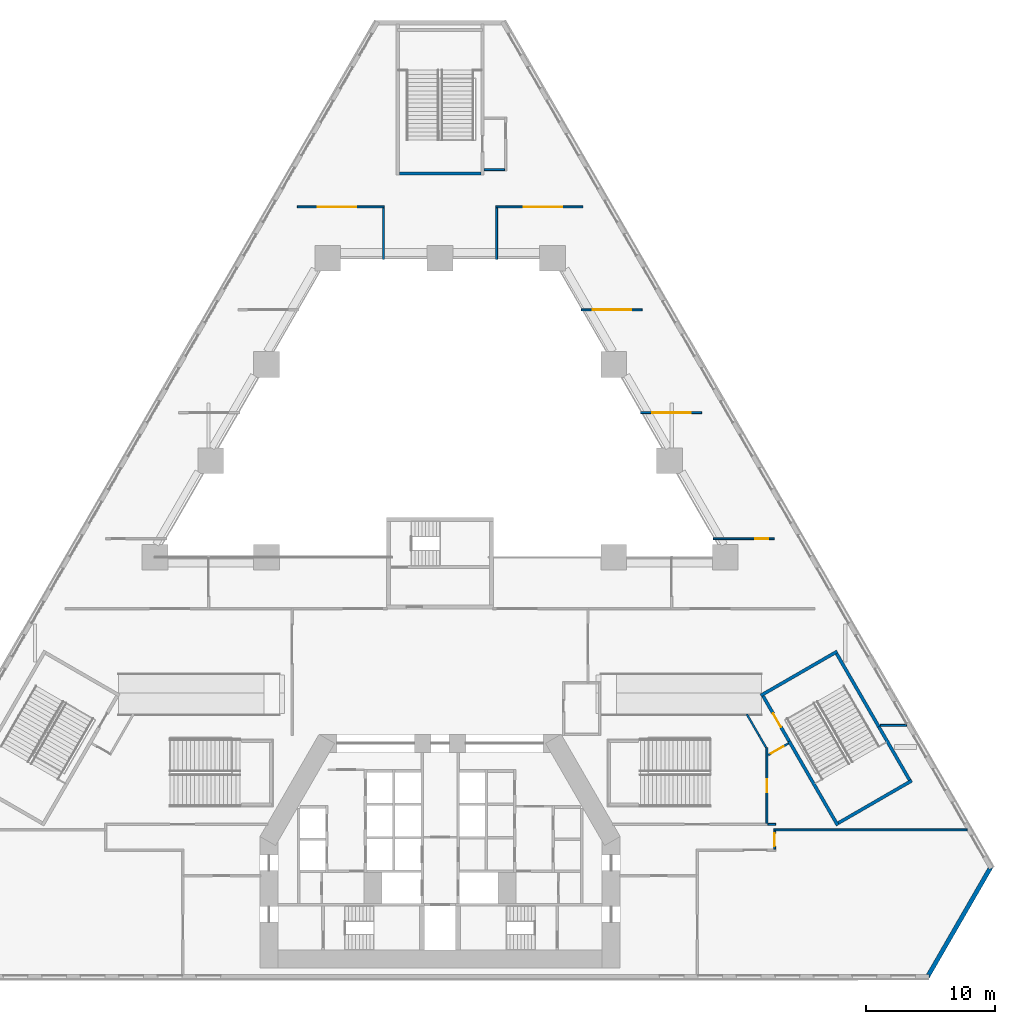
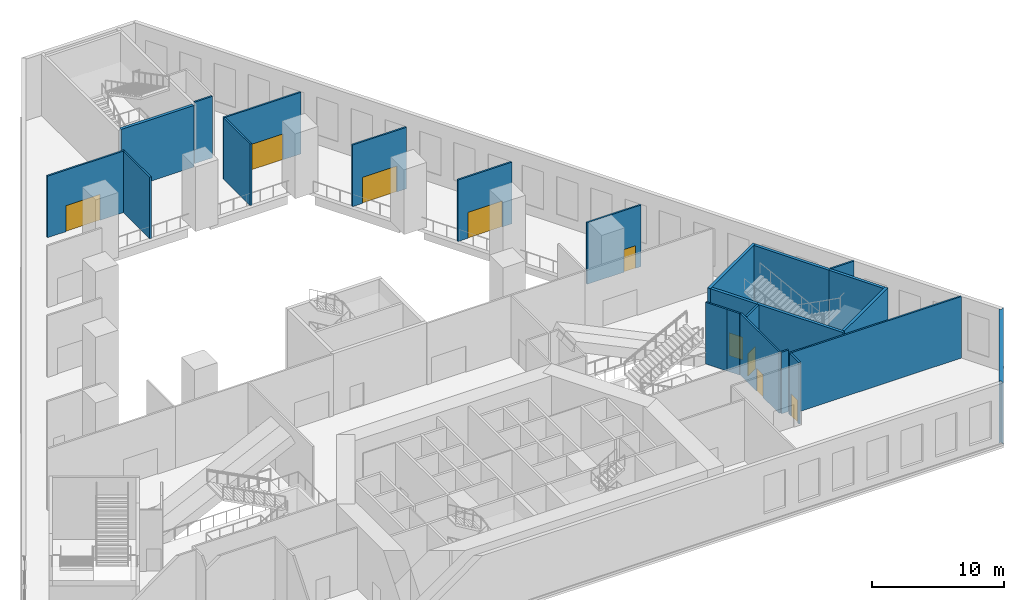
# One storey, part 7 of 16: 24 walls, 9 doors, 9 openings.
"""IFC4 building model written with IfcOpenShell, lengths in metres."""

from ifc_helpers import new_model, si_unit, direction, frame, frame_2d, origin, place, context, subcontext, project, spatial, polyline, rectangle, outline, extrude, material, layer, layer_set, type_object, element, fill, save


model = new_model("IFC4")

# Units and contexts
model_context = context("Model", 3, precision=1e-05, world=origin(), true_north=direction((0.0, 1.0)))
body_context = subcontext(model_context, "Body", "Model", "MODEL_VIEW")
ifc_project = project(units=[si_unit("LENGTHUNIT", "METRE"), si_unit("AREAUNIT", "SQUARE_METRE"), si_unit("VOLUMEUNIT", "CUBIC_METRE"), si_unit("PLANEANGLEUNIT", "RADIAN"), si_unit("MASSUNIT", "GRAM", prefix="KILO")], contexts=[model_context])

# Site, building, storey
site_placement = place(None, origin())
site = spatial("IfcSite", under=ifc_project, at=site_placement, CompositionType="ELEMENT")
building_placement = place(site_placement, origin())
building = spatial("IfcBuilding", under=site, at=building_placement, Name="Fogline Exchange Tower", CompositionType="ELEMENT")
storey_placement = place(building_placement, frame((0.0, 0.0, 14.0)))
storey = spatial("IfcBuildingStorey", under=building, at=storey_placement, Name="L02", CompositionType="ELEMENT", Elevation=14.0)

# Wall
ifc_material_1 = material(Name="Brick masonry", Category="masonry")
ifc_layer_1 = layer(ifc_material_1, 0.340087890625)
ifc_layer_set_1 = layer_set([ifc_layer_1], Name="FW1")
wall_type_1 = type_object("IfcWallType", Name="FW1", PredefinedType="SOLIDWALL", material=ifc_layer_set_1)
wall_1_placement = place(storey_placement, origin())
element("IfcWall", 1, at=wall_1_placement, inside=storey, type_object=wall_type_1, Name="Brick wall L02 SE-c", PredefinedType="SOLIDWALL", context=body_context, shape_type="SweptSolid", body=[
    extrude(outline(polyline([(37.99951171875, -0.0009765625), (37.99951171875, 0.33935546875), (37.802734375, 0.33935546875), (42.607421875, 8.661376953125), (42.705810546875, 8.490966796875), (43.000732421875, 8.661376953125), (43.0009765625, 8.660888671875), (38.0, -0.001220703125), (37.99951171875, -0.0009765625)])), origin(), (0.0, 0.0, 1.0), 5.699951171875),
])

# Wall, opening, door
ifc_material_2 = material(Name="Plasterboard on steel stud", Category="steel")
ifc_layer_2 = layer(ifc_material_2, 0.14990234375)
ifc_layer_set_2 = layer_set([ifc_layer_2], Name="PP1")
wall_type_2 = type_object("IfcWallType", Name="PP1", PredefinedType="PARTITIONING", material=ifc_layer_set_2)
wall_2_placement = place(storey_placement, frame((26.0, 10.074951171875, 0.0), z_axis=(0.0, 0.0, 1.0), x_axis=(0.0, 1.0, 0.0)))
wall_2 = element("IfcWall", 2, at=wall_2_placement, inside=storey, type_object=wall_type_2, Name="PP1 partition", PredefinedType="PARTITIONING", context=body_context, shape_type="SweptSolid", body=[
    extrude(rectangle(XDim=1.420166015625, YDim=0.14990234375, at=frame_2d((0.7099609375, 0.0))), origin(), (0.0, 0.0, 1.0), 5.699951171875),
])
opening_1_placement = place(wall_2_placement, frame((0.22509765625, 0.0, 0.0)))
opening_1 = element("IfcOpeningElement", 3, at=opening_1_placement, cuts=wall_2, Name="Opening P02-D017", PredefinedType="OPENING", context=body_context, shape_type="SweptSolid", body=[
    extrude(rectangle(XDim=1.0, YDim=2.10009765625, at=frame_2d((0.5, 1.050048828125))), frame((0.0, 0.0849609375, 0.0), z_axis=(0.0, -1.0, 0.0), x_axis=(1.0, 0.0, 0.0)), (0.0, 0.0, 1.0), 0.169921875),
])
ifc_material_3 = material(Name="Timber", Category="wood")
door_type_1 = type_object("IfcDoorType", Name="PD1", OperationType="SINGLE_SWING_LEFT", PredefinedType="DOOR", material=ifc_material_3)
door_1_placement = place(opening_1_placement, frame((1.0, 0.0, 0.0), z_axis=(0.0, 0.0, 1.0), x_axis=(-1.0, 0.0, 0.0)))
door_1 = element("IfcDoor", 4, at=door_1_placement, inside=storey, type_object=door_type_1, Name="P02-D017", OperationType="SINGLE_SWING_LEFT", OverallHeight=2.10009765625, OverallWidth=1.0, PredefinedType="DOOR", context=body_context, shape_type="SweptSolid", body=[
    extrude(rectangle(XDim=1.0, YDim=2.10009765625, at=frame_2d((0.5, 1.050048828125))), frame((0.0, 0.02490234375, 0.0), z_axis=(0.0, -1.0, 0.0), x_axis=(1.0, 0.0, 0.0)), (0.0, 0.0, 1.0), 0.050048828125),
])
fill(opening_1, door_1)

# Walls
wall_3_placement = place(storey_placement, frame((25.925048828125, 11.570068359375, 0.0), z_axis=(0.0, 0.0, 1.0), x_axis=(1.0, 0.0, 0.0)))
element("IfcWall", 5, at=wall_3_placement, inside=storey, type_object=wall_type_2, Name="PP1 partition", PredefinedType="PARTITIONING", context=body_context, shape_type="SweptSolid", body=[
    extrude(rectangle(XDim=15.042724609375, YDim=0.14990234375, at=frame_2d((7.521484375, 0.0))), origin(), (0.0, 0.0, 1.0), 5.699951171875),
])
wall_4_placement = place(storey_placement, frame((25.47509765625, 12.0, 0.0), z_axis=(0.0, 0.0, 1.0), x_axis=(1.0, 0.0, 0.0)))
element("IfcWall", 6, at=wall_4_placement, inside=storey, type_object=wall_type_2, Name="PP1 partition", PredefinedType="PARTITIONING", context=body_context, shape_type="SweptSolid", body=[
    extrude(rectangle(XDim=0.599853515625, YDim=0.14990234375, at=frame_2d((0.2998046875, 0.0))), origin(), (0.0, 0.0, 1.0), 5.699951171875),
])

# Wall, opening, door
wall_5_placement = place(storey_placement, frame((25.39990234375, 17.964599609375, 0.0), z_axis=(0.0, 0.0, 1.0), x_axis=(0.0, -1.0, 0.0)))
wall_5 = element("IfcWall", 7, at=wall_5_placement, inside=storey, type_object=wall_type_2, Name="PP1 partition", PredefinedType="PARTITIONING", context=body_context, shape_type="SweptSolid", body=[
    extrude(rectangle(XDim=5.8896484375, YDim=0.14990234375, at=frame_2d((2.94482421875, 0.0))), origin(), (0.0, 0.0, 1.0), 5.699951171875),
])
opening_2_placement = place(wall_5_placement, frame((2.464599609375, 0.0, 0.0)))
opening_2 = element("IfcOpeningElement", 8, at=opening_2_placement, cuts=wall_5, Name="Opening P02-D016", PredefinedType="OPENING", context=body_context, shape_type="SweptSolid", body=[
    extrude(rectangle(XDim=1.0, YDim=2.10009765625, at=frame_2d((0.5, 1.050048828125))), frame((0.0, 0.0849609375, 0.0), z_axis=(0.0, -1.0, 0.0), x_axis=(1.0, 0.0, 0.0)), (0.0, 0.0, 1.0), 0.169921875),
])
door_2_placement = place(opening_2_placement, origin())
door_2 = element("IfcDoor", 9, at=door_2_placement, inside=storey, type_object=door_type_1, Name="P02-D016", OperationType="SINGLE_SWING_RIGHT", OverallHeight=2.10009765625, OverallWidth=1.0, PredefinedType="DOOR", context=body_context, shape_type="SweptSolid", body=[
    extrude(rectangle(XDim=1.0, YDim=2.10009765625, at=frame_2d((0.5, 1.050048828125))), frame((0.0, 0.02490234375, 0.0), z_axis=(0.0, -1.0, 0.0), x_axis=(1.0, 0.0, 0.0)), (0.0, 0.0, 1.0), 0.050048828125),
])
fill(opening_2, door_2)

# Wall
wall_6_placement = place(storey_placement, frame((25.3369140625, 17.974609375, 0.0), z_axis=(0.0, 0.0, 1.0), x_axis=(-0.50011622646, 0.865958290007, 0.0)))
element("IfcWall", 10, at=wall_6_placement, inside=storey, type_object=wall_type_2, Name="PP1 partition", PredefinedType="PARTITIONING", context=body_context, shape_type="SweptSolid", body=[
    extrude(rectangle(XDim=1.109130859375, YDim=0.14990234375, at=frame_2d((0.5546875, 0.0))), origin(), (0.0, 0.0, 1.0), 5.699951171875),
])

# Wall, opening, door
wall_7_placement = place(storey_placement, frame((27.086669921875, 18.29443359375, 0.0), z_axis=(0.0, 0.0, 1.0), x_axis=(-0.866100518934, -0.499869874169, 0.0)))
wall_7 = element("IfcWall", 11, at=wall_7_placement, inside=storey, type_object=wall_type_2, Name="PP1 partition", PredefinedType="PARTITIONING", context=body_context, shape_type="SweptSolid", body=[
    extrude(rectangle(XDim=1.81591796875, YDim=0.14990234375, at=frame_2d((0.907958984375, 0.0))), origin(), (0.0, 0.0, 1.0), 5.699951171875),
])
opening_3_placement = place(wall_7_placement, frame((0.461181640625, 0.0, 0.0)))
opening_3 = element("IfcOpeningElement", 12, at=opening_3_placement, cuts=wall_7, Name="Opening P02-D005", PredefinedType="OPENING", context=body_context, shape_type="SweptSolid", body=[
    extrude(rectangle(XDim=1.10009765625, YDim=2.10009765625, at=frame_2d((0.550048828125, 1.050048828125))), frame((0.0, 0.0849609375, 0.0), z_axis=(0.0, -1.0, 0.0), x_axis=(1.0, 0.0, 0.0)), (0.0, 0.0, 1.0), 0.169921875),
])
ifc_material_4 = material(Name="Steel Q235B", Category="steel")
door_type_2 = type_object("IfcDoorType", Name="PD5", OperationType="SINGLE_SWING_LEFT", PredefinedType="DOOR", material=ifc_material_4)
door_3_placement = place(opening_3_placement, origin())
door_3 = element("IfcDoor", 13, at=door_3_placement, inside=storey, type_object=door_type_2, Name="P02-D005", OperationType="SINGLE_SWING_RIGHT", OverallHeight=2.10009765625, OverallWidth=1.10009765625, PredefinedType="DOOR", context=body_context, shape_type="SweptSolid", body=[
    extrude(rectangle(XDim=1.10009765625, YDim=2.10009765625, at=frame_2d((0.550048828125, 1.050048828125))), frame((0.0, 0.02490234375, 0.0), z_axis=(0.0, -1.0, 0.0), x_axis=(1.0, 0.0, 0.0)), (0.0, 0.0, 1.0), 0.050048828125),
])
fill(opening_3, door_3)

# Walls
wall_8_placement = place(storey_placement, frame((24.7822265625, 18.93505859375, 0.0), z_axis=(0.0, 0.0, 1.0), x_axis=(-0.499962016178, 0.866047332643, 0.0)))
element("IfcWall", 14, at=wall_8_placement, inside=storey, type_object=wall_type_2, Name="PP1 partition", PredefinedType="PARTITIONING", context=body_context, shape_type="SweptSolid", body=[
    extrude(rectangle(XDim=1.882080078125, YDim=0.14990234375, at=frame_2d((0.94091796875, 0.0))), origin(), (0.0, 0.0, 1.0), 5.699951171875),
])
wall_9_placement = place(storey_placement, frame((34.2294921875, 19.699951171875, 0.0), z_axis=(0.0, 0.0, 1.0), x_axis=(1.0, 0.0, 0.0)))
element("IfcWall", 15, at=wall_9_placement, inside=storey, type_object=wall_type_2, Name="PP1 partition", PredefinedType="PARTITIONING", context=body_context, shape_type="SweptSolid", body=[
    extrude(rectangle(XDim=2.04443359375, YDim=0.14990234375, at=frame_2d((1.022216796875, 0.0))), origin(), (0.0, 0.0, 1.0), 5.699951171875),
])

# Wall, opening, door
wall_10_placement = place(storey_placement, frame((21.25146484375, 34.199951171875, 0.0), z_axis=(0.0, 0.0, 1.0), x_axis=(1.0, 0.0, 0.0)))
wall_10 = element("IfcWall", 16, at=wall_10_placement, inside=storey, type_object=wall_type_2, Name="PP1 partition", PredefinedType="PARTITIONING", context=body_context, shape_type="SweptSolid", body=[
    extrude(rectangle(XDim=4.734130859375, YDim=0.14990234375, at=frame_2d((2.3671875, 0.0))), origin(), (0.0, 0.0, 1.0), 5.699951171875),
])
opening_4_placement = place(wall_10_placement, frame((3.24853515625, 0.0, 0.0)))
opening_4 = element("IfcOpeningElement", 17, at=opening_4_placement, cuts=wall_10, Name="Opening P02-D033", PredefinedType="OPENING", context=body_context, shape_type="SweptSolid", body=[
    extrude(rectangle(XDim=1.0, YDim=2.10009765625, at=frame_2d((0.5, 1.050048828125))), frame((0.0, 0.0849609375, 0.0), z_axis=(0.0, -1.0, 0.0), x_axis=(1.0, 0.0, 0.0)), (0.0, 0.0, 1.0), 0.169921875),
])
door_4_placement = place(opening_4_placement, origin())
door_4 = element("IfcDoor", 18, at=door_4_placement, inside=storey, type_object=door_type_1, Name="P02-D033", OperationType="SINGLE_SWING_RIGHT", OverallHeight=2.10009765625, OverallWidth=1.0, PredefinedType="DOOR", context=body_context, shape_type="SweptSolid", body=[
    extrude(rectangle(XDim=1.0, YDim=2.10009765625, at=frame_2d((0.5, 1.050048828125))), frame((0.0, 0.02490234375, 0.0), z_axis=(0.0, -1.0, 0.0), x_axis=(1.0, 0.0, 0.0)), (0.0, 0.0, 1.0), 0.050048828125),
])
fill(opening_4, door_4)

wall_11_placement = place(storey_placement, frame((15.593505859375, 44.0, 0.0), z_axis=(0.0, 0.0, 1.0), x_axis=(1.0, 0.0, 0.0)))
wall_11 = element("IfcWall", 19, at=wall_11_placement, inside=storey, type_object=wall_type_2, Name="PP1 partition", PredefinedType="PARTITIONING", context=body_context, shape_type="SweptSolid", body=[
    extrude(rectangle(XDim=4.73388671875, YDim=0.14990234375, at=frame_2d((2.366943359375, 0.0))), origin(), (0.0, 0.0, 1.0), 5.699951171875),
])
opening_5_placement = place(wall_11_placement, frame((0.884521484375, 0.0, 0.0)))
opening_5 = element("IfcOpeningElement", 20, at=opening_5_placement, cuts=wall_11, Name="Opening P02-D023", PredefinedType="OPENING", context=body_context, shape_type="SweptSolid", body=[
    extrude(rectangle(XDim=3.0, YDim=2.39990234375, at=frame_2d((1.5, 1.199951171875))), frame((0.0, 0.0849609375, 0.0), z_axis=(0.0, -1.0, 0.0), x_axis=(1.0, 0.0, 0.0)), (0.0, 0.0, 1.0), 0.169921875),
])
door_type_3 = type_object("IfcDoorType", Name="PD13", OperationType="DOUBLE_DOOR_SINGLE_SWING", PredefinedType="DOOR", material=ifc_material_4)
door_5_placement = place(opening_5_placement, origin())
door_5 = element("IfcDoor", 21, at=door_5_placement, inside=storey, type_object=door_type_3, Name="P02-D023", OperationType="DOUBLE_DOOR_SINGLE_SWING", OverallHeight=2.39990234375, OverallWidth=3.0, PredefinedType="DOOR", context=body_context, shape_type="SweptSolid", body=[
    extrude(rectangle(XDim=3.0, YDim=2.39990234375, at=frame_2d((1.5, 1.199951171875))), frame((0.0, 0.02490234375, 0.0), z_axis=(0.0, -1.0, 0.0), x_axis=(1.0, 0.0, 0.0)), (0.0, 0.0, 1.0), 0.050048828125),
])
fill(opening_5, door_5)

wall_12_placement = place(storey_placement, frame((10.974609375, 52.0, 0.0), z_axis=(0.0, 0.0, 1.0), x_axis=(1.0, 0.0, 0.0)))
wall_12 = element("IfcWall", 22, at=wall_12_placement, inside=storey, type_object=wall_type_2, Name="PP1 partition", PredefinedType="PARTITIONING", context=body_context, shape_type="SweptSolid", body=[
    extrude(rectangle(XDim=4.734130859375, YDim=0.14990234375, at=frame_2d((2.3671875, 0.0))), origin(), (0.0, 0.0, 1.0), 5.699951171875),
])
opening_6_placement = place(wall_12_placement, frame((0.884521484375, 0.0, 0.0)))
opening_6 = element("IfcOpeningElement", 23, at=opening_6_placement, cuts=wall_12, Name="Opening P02-D025", PredefinedType="OPENING", context=body_context, shape_type="SweptSolid", body=[
    extrude(rectangle(XDim=3.0, YDim=2.39990234375, at=frame_2d((1.5, 1.199951171875))), frame((0.0, 0.0849609375, 0.0), z_axis=(0.0, -1.0, 0.0), x_axis=(1.0, 0.0, 0.0)), (0.0, 0.0, 1.0), 0.169921875),
])
door_6_placement = place(opening_6_placement, frame((3.0, 0.0, 0.0), z_axis=(0.0, 0.0, 1.0), x_axis=(-1.0, 0.0, 0.0)))
door_6 = element("IfcDoor", 24, at=door_6_placement, inside=storey, type_object=door_type_3, Name="P02-D025", OperationType="DOUBLE_DOOR_SINGLE_SWING", OverallHeight=2.39990234375, OverallWidth=3.0, PredefinedType="DOOR", context=body_context, shape_type="SweptSolid", body=[
    extrude(rectangle(XDim=3.0, YDim=2.39990234375, at=frame_2d((1.5, 1.199951171875))), frame((0.0, 0.02490234375, 0.0), z_axis=(0.0, -1.0, 0.0), x_axis=(1.0, 0.0, 0.0)), (0.0, 0.0, 1.0), 0.050048828125),
])
fill(opening_6, door_6)

# Walls
for number, where, z_axis, x_axis, name in (
    (25, (4.39990234375, 55.925048828125, 0.0), (0.0, 0.0, 1.0), (0.0, 1.0, 0.0), "PP1 partition"),
    (26, (-4.39990234375, 59.925048828125, 0.0), (0.0, 0.0, 1.0), (0.0, -1.0, 0.0), "PP1 partition"),
):
    element("IfcWall", number, at=place(storey_placement, frame(where, z_axis=z_axis, x_axis=x_axis)), inside=storey, type_object=wall_type_2, Name=name, PredefinedType="PARTITIONING", context=body_context, shape_type="SweptSolid", body=[
        extrude(rectangle(XDim=4.0, YDim=0.14990234375, at=frame_2d((2.0, 0.0))), origin(), (0.0, 0.0, 1.0), 5.699951171875),
    ])

# Wall, opening, door
wall_13_placement = place(storey_placement, frame((-11.10205078125, 60.0, 0.0), z_axis=(0.0, 0.0, 1.0), x_axis=(1.0, 0.0, 0.0)))
wall_13 = element("IfcWall", 27, at=wall_13_placement, inside=storey, type_object=wall_type_2, Name="PP1 partition", PredefinedType="PARTITIONING", context=body_context, shape_type="SweptSolid", body=[
    extrude(rectangle(XDim=6.777099609375, YDim=0.14990234375, at=frame_2d((3.388671875, 0.0))), origin(), (0.0, 0.0, 1.0), 5.699951171875),
])
opening_7_placement = place(wall_13_placement, frame((1.60205078125, 0.0, 0.0)))
opening_7 = element("IfcOpeningElement", 28, at=opening_7_placement, cuts=wall_13, Name="Opening P02-D020", PredefinedType="OPENING", context=body_context, shape_type="SweptSolid", body=[
    extrude(rectangle(XDim=3.0, YDim=2.39990234375, at=frame_2d((1.5, 1.199951171875))), frame((0.0, 0.0849609375, 0.0), z_axis=(0.0, -1.0, 0.0), x_axis=(1.0, 0.0, 0.0)), (0.0, 0.0, 1.0), 0.169921875),
])
door_7_placement = place(opening_7_placement, frame((3.0, 0.0, 0.0), z_axis=(0.0, 0.0, 1.0), x_axis=(-1.0, 0.0, 0.0)))
door_7 = element("IfcDoor", 29, at=door_7_placement, inside=storey, type_object=door_type_3, Name="P02-D020", OperationType="DOUBLE_DOOR_SINGLE_SWING", OverallHeight=2.39990234375, OverallWidth=3.0, PredefinedType="DOOR", context=body_context, shape_type="SweptSolid", body=[
    extrude(rectangle(XDim=3.0, YDim=2.39990234375, at=frame_2d((1.5, 1.199951171875))), frame((0.0, 0.02490234375, 0.0), z_axis=(0.0, -1.0, 0.0), x_axis=(1.0, 0.0, 0.0)), (0.0, 0.0, 1.0), 0.050048828125),
])
fill(opening_7, door_7)

wall_14_placement = place(storey_placement, frame((4.324951171875, 60.0, 0.0), z_axis=(0.0, 0.0, 1.0), x_axis=(1.0, 0.0, 0.0)))
wall_14 = element("IfcWall", 30, at=wall_14_placement, inside=storey, type_object=wall_type_2, Name="PP1 partition", PredefinedType="PARTITIONING", context=body_context, shape_type="SweptSolid", body=[
    extrude(rectangle(XDim=6.777099609375, YDim=0.14990234375, at=frame_2d((3.388671875, 0.0))), origin(), (0.0, 0.0, 1.0), 5.699951171875),
])
opening_8_placement = place(wall_14_placement, frame((2.175048828125, 0.0, 0.0)))
opening_8 = element("IfcOpeningElement", 31, at=opening_8_placement, cuts=wall_14, Name="Opening P02-D021", PredefinedType="OPENING", context=body_context, shape_type="SweptSolid", body=[
    extrude(rectangle(XDim=3.0, YDim=2.39990234375, at=frame_2d((1.5, 1.199951171875))), frame((0.0, 0.0849609375, 0.0), z_axis=(0.0, -1.0, 0.0), x_axis=(1.0, 0.0, 0.0)), (0.0, 0.0, 1.0), 0.169921875),
])
door_8_placement = place(opening_8_placement, frame((3.0, 0.0, 0.0), z_axis=(0.0, 0.0, 1.0), x_axis=(-1.0, 0.0, 0.0)))
door_8 = element("IfcDoor", 32, at=door_8_placement, inside=storey, type_object=door_type_3, Name="P02-D021", OperationType="DOUBLE_DOOR_SINGLE_SWING", OverallHeight=2.39990234375, OverallWidth=3.0, PredefinedType="DOOR", context=body_context, shape_type="SweptSolid", body=[
    extrude(rectangle(XDim=3.0, YDim=2.39990234375, at=frame_2d((1.5, 1.199951171875))), frame((0.0, 0.02490234375, 0.0), z_axis=(0.0, -1.0, 0.0), x_axis=(1.0, 0.0, 0.0)), (0.0, 0.0, 1.0), 0.050048828125),
])
fill(opening_8, door_8)

# Walls
wall_15_placement = place(storey_placement, frame((5.02490234375, 62.89990234375, 0.0), z_axis=(0.0, 0.0, 1.0), x_axis=(-1.0, 0.0, 0.0)))
element("IfcWall", 33, at=wall_15_placement, inside=storey, type_object=wall_type_2, Name="PP1 partition", PredefinedType="PARTITIONING", context=body_context, shape_type="SweptSolid", body=[
    extrude(rectangle(XDim=1.599853515625, YDim=0.14990234375, at=frame_2d((0.7998046875, 0.0))), origin(), (0.0, 0.0, 1.0), 5.699951171875),
])
ifc_material_5 = material(Name="Concrete C40", Category="concrete")
ifc_layer_3 = layer(ifc_material_5, 0.25)
ifc_layer_set_3 = layer_set([ifc_layer_3], Name="PP3")
wall_type_3 = type_object("IfcWallType", Name="PP3", PredefinedType="SOLIDWALL", material=ifc_layer_set_3)
wall_16_placement = place(storey_placement, frame((30.906982421875, 11.926513671875, 0.0), z_axis=(0.0, 0.0, 1.0), x_axis=(-0.499985572004, 0.866033733632, 0.0)))
element("IfcWall", 34, at=wall_16_placement, inside=storey, type_object=wall_type_3, Name="PP3 bearing wall", PredefinedType="SOLIDWALL", context=body_context, shape_type="SweptSolid", body=[
    extrude(rectangle(XDim=7.550048828125, YDim=0.25, at=frame_2d((3.77490234375, 0.0))), origin(), (0.0, 0.0, 1.0), 5.699951171875),
])
wall_17_placement = place(storey_placement, frame((36.66845703125, 15.397216796875, 0.0), z_axis=(0.0, 0.0, 1.0), x_axis=(-0.866040211805, -0.499974350878, 0.0)))
element("IfcWall", 35, at=wall_17_placement, inside=storey, type_object=wall_type_3, Name="PP3 bearing wall", PredefinedType="SOLIDWALL", context=body_context, shape_type="SweptSolid", body=[
    extrude(rectangle(XDim=6.599853515625, YDim=0.25, at=frame_2d((3.2998046875, 0.0))), origin(), (0.0, 0.0, 1.0), 5.699951171875),
])

# Wall, opening, door
wall_18_placement = place(storey_placement, frame((27.1318359375, 18.46533203125, 0.0), z_axis=(0.0, 0.0, 1.0), x_axis=(-0.499971214291, 0.866042022584, 0.0)))
wall_18 = element("IfcWall", 36, at=wall_18_placement, inside=storey, type_object=wall_type_3, Name="PP3 bearing wall", PredefinedType="SOLIDWALL", context=body_context, shape_type="SweptSolid", body=[
    extrude(rectangle(XDim=4.049560546875, YDim=0.25, at=frame_2d((2.02490234375, 0.0))), origin(), (0.0, 0.0, 1.0), 5.699951171875),
])
opening_9_placement = place(wall_18_placement, frame((1.274658203125, 0.0, 0.0)))
opening_9 = element("IfcOpeningElement", 37, at=opening_9_placement, cuts=wall_18, Name="Opening P02-D004", PredefinedType="OPENING", context=body_context, shape_type="SweptSolid", body=[
    extrude(rectangle(XDim=1.199951171875, YDim=2.10009765625, at=frame_2d((0.60009765625, 1.050048828125))), frame((0.0, 0.135009765625, 0.0), z_axis=(0.0, -1.0, 0.0), x_axis=(1.0, 0.0, 0.0)), (0.0, 0.0, 1.0), 0.27001953125),
])
door_type_4 = type_object("IfcDoorType", Name="PD7", OperationType="SINGLE_SWING_LEFT", PredefinedType="DOOR", material=ifc_material_4)
door_9_placement = place(opening_9_placement, origin())
door_9 = element("IfcDoor", 38, at=door_9_placement, inside=storey, type_object=door_type_4, Name="P02-D004", OperationType="SINGLE_SWING_LEFT", OverallHeight=2.10009765625, OverallWidth=1.199951171875, PredefinedType="DOOR", context=body_context, shape_type="SweptSolid", body=[
    extrude(rectangle(XDim=1.199951171875, YDim=2.10009765625, at=frame_2d((0.60009765625, 1.050048828125))), frame((0.0, 0.02490234375, 0.0), z_axis=(0.0, -1.0, 0.0), x_axis=(1.0, 0.0, 0.0)), (0.0, 0.0, 1.0), 0.050048828125),
])
fill(opening_9, door_9)

# Walls
wall_19_placement = place(storey_placement, frame((34.1025390625, 19.591552734375, 0.0), z_axis=(0.0, 0.0, 1.0), x_axis=(0.499981253467, -0.86603622683, 0.0)))
element("IfcWall", 39, at=wall_19_placement, inside=storey, type_object=wall_type_3, Name="PP3 bearing wall", PredefinedType="SOLIDWALL", context=body_context, shape_type="SweptSolid", body=[
    extrude(rectangle(XDim=4.790771484375, YDim=0.25, at=frame_2d((2.3955078125, 0.0))), origin(), (0.0, 0.0, 1.0), 5.699951171875),
])
wall_20_placement = place(storey_placement, frame((24.936279296875, 22.018310546875, 0.0), z_axis=(0.0, 0.0, 1.0), x_axis=(0.866050272892, 0.499956922968, 0.0)))
element("IfcWall", 40, at=wall_20_placement, inside=storey, type_object=wall_type_3, Name="PP3 bearing wall", PredefinedType="SOLIDWALL", context=body_context, shape_type="SweptSolid", body=[
    extrude(rectangle(XDim=6.85009765625, YDim=0.25, at=frame_2d((3.425048828125, 0.0))), origin(), (0.0, 0.0, 1.0), 5.699951171875),
])
wall_21_placement = place(storey_placement, frame((30.822998046875, 25.2724609375, 0.0), z_axis=(0.0, 0.0, 1.0), x_axis=(0.499978056798, -0.866038072327, 0.0)))
element("IfcWall", 41, at=wall_21_placement, inside=storey, type_object=wall_type_3, Name="PP3 bearing wall", PredefinedType="SOLIDWALL", context=body_context, shape_type="SweptSolid", body=[
    extrude(rectangle(XDim=6.559326171875, YDim=0.25, at=frame_2d((3.27978515625, 0.0))), origin(), (0.0, 0.0, 1.0), 5.699951171875),
])
wall_22_placement = place(storey_placement, frame((3.175048828125, 62.60009765625, 0.0), z_axis=(0.0, 0.0, 1.0), x_axis=(-1.0, 0.0, 0.0)))
element("IfcWall", 42, at=wall_22_placement, inside=storey, type_object=wall_type_3, Name="PP3 bearing wall", PredefinedType="SOLIDWALL", context=body_context, shape_type="SweptSolid", body=[
    extrude(rectangle(XDim=6.35009765625, YDim=0.25, at=frame_2d((3.175048828125, 0.0))), origin(), (0.0, 0.0, 1.0), 5.699951171875),
])

save(model, "model.ifc")
